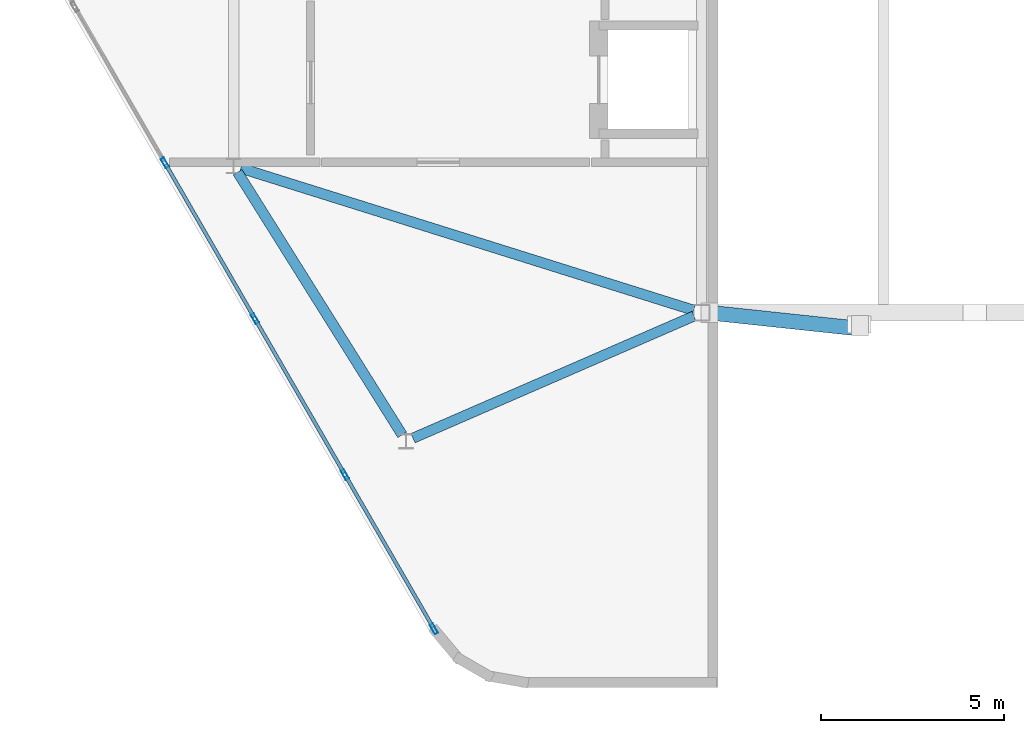
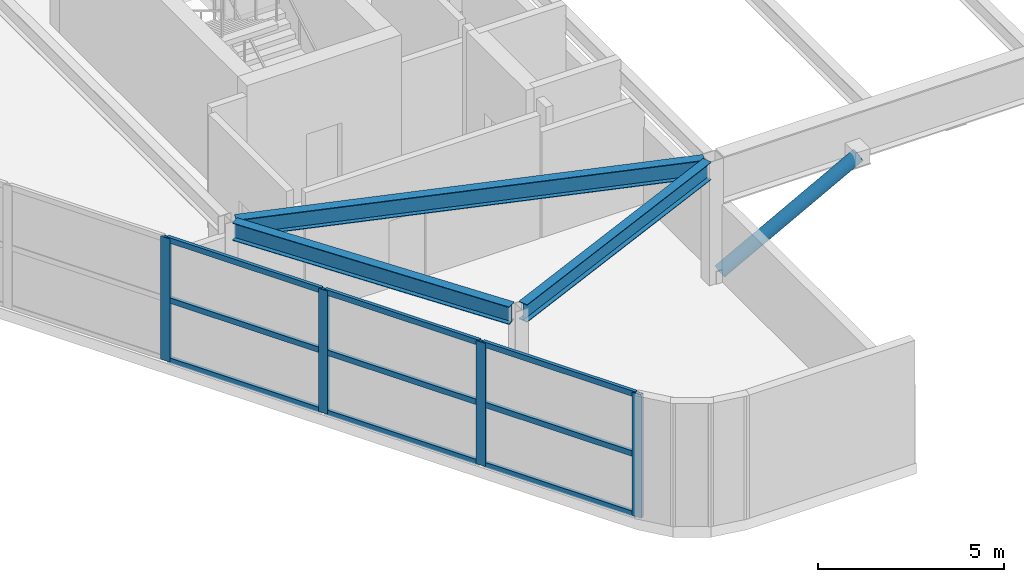
# One storey, part 3 of 16: 14 members, 3 beams, 1 element without a shape of its own.
"""IFC4 building model written with IfcOpenShell, lengths in metres."""

from ifc_helpers import new_model, si_unit, direction, frame, origin, origin_2d, place, context, subcontext, project, spatial, hollow_rectangle, hollow_circle, i_section, extrude, material, material_profile, profile_set, type_object, element, aggregate, save


model = new_model("IFC4")

# Units and contexts
model_context = context("Model", 3, precision=1e-05, world=origin(), true_north=direction((0.0, 1.0)))
body_context = subcontext(model_context, "Body", "Model", "MODEL_VIEW")
ifc_project = project(units=[si_unit("LENGTHUNIT", "METRE"), si_unit("AREAUNIT", "SQUARE_METRE"), si_unit("VOLUMEUNIT", "CUBIC_METRE"), si_unit("PLANEANGLEUNIT", "RADIAN"), si_unit("MASSUNIT", "GRAM", prefix="KILO")], contexts=[model_context])

# Site, building, storey
site_placement = place(None, origin())
site = spatial("IfcSite", under=ifc_project, at=site_placement, CompositionType="ELEMENT")
building_placement = place(site_placement, origin())
building = spatial("IfcBuilding", under=site, at=building_placement, Name="Zuhravey Tower", CompositionType="ELEMENT")
storey_placement = place(building_placement, frame((0.0, 0.0, 374.60009765625)))
storey = spatial("IfcBuildingStorey", under=building, at=storey_placement, Name="L95", CompositionType="ELEMENT", Elevation=374.60009765625)

# Curtain wall, members
ifc_material_1 = material(Name="Thermally broken anodised aluminium", Category="aluminium")
curtain_wall_type = type_object("IfcCurtainWallType", Name="Split-Top Crown Screened Curtain Wall CW6", PredefinedType="NOTDEFINED", material=ifc_material_1)
curtain_wall_placement = place(storey_placement, origin())
curtain_wall = element("IfcCurtainWall", 1, at=curtain_wall_placement, inside=storey, type_object=curtain_wall_type, Name="L95 CW6 CW6-L95-WEST-04", PredefinedType="NOTDEFINED")
ifc_material_2 = material(Name="Anodised aluminium", Category="aluminium")
ifc_material_profile_1 = material_profile(ifc_material_2, hollow_rectangle(XDim=0.10009765625, YDim=0.2900390625, WallThickness=0.006103515625, at=origin_2d()), Name="ALU-RHS-100x290x6")
ifc_profile_set_1 = profile_set([ifc_material_profile_1], Name="Anodised aluminium")
member_type_1 = type_object("IfcMemberType", Name="Heavy Tall-Storey Mullion 100x220", PredefinedType="MULLION", material=ifc_profile_set_1)
member_1_placement = place(storey_placement, frame((21.258544921875, 9.384765625, 0.0), z_axis=(0.0, 0.0, 1.0), x_axis=(-0.866027063754, -0.499997124838, 0.0)))
member_1 = element("IfcMember", 2, at=member_1_placement, type_object=member_type_1, Name="CW6 mullion 1", PredefinedType="MULLION", context=body_context, shape_type="SweptSolid", body=[
    extrude(hollow_rectangle(XDim=0.10009765625, YDim=0.2900390625, WallThickness=0.006103515625, at=origin_2d()), origin(), (0.0, 0.0, 1.0), 4.0498046875),
])
member_2_placement = place(storey_placement, frame((18.83056640625, 13.590087890625, 0.0), z_axis=(0.0, 0.0, 1.0), x_axis=(-0.866027063754, -0.499997124838, 0.0)))
member_2 = element("IfcMember", 3, at=member_2_placement, type_object=member_type_1, Name="CW6 mullion 2", PredefinedType="MULLION", context=body_context, shape_type="SweptSolid", body=[
    extrude(hollow_rectangle(XDim=0.10009765625, YDim=0.2900390625, WallThickness=0.006103515625, at=origin_2d()), origin(), (0.0, 0.0, 1.0), 4.0498046875),
])
member_3_placement = place(storey_placement, frame((16.377685546875, 17.838623046875, 0.0), z_axis=(0.0, 0.0, 1.0), x_axis=(-0.866027063754, -0.499997124838, 0.0)))
member_3 = element("IfcMember", 4, at=member_3_placement, type_object=member_type_1, Name="CW6 mullion 3", PredefinedType="MULLION", context=body_context, shape_type="SweptSolid", body=[
    extrude(hollow_rectangle(XDim=0.10009765625, YDim=0.2900390625, WallThickness=0.006103515625, at=origin_2d()), origin(), (0.0, 0.0, 1.0), 4.0498046875),
])
member_4_placement = place(storey_placement, frame((13.9248046875, 22.087158203125, 0.0), z_axis=(0.0, 0.0, 1.0), x_axis=(-0.866027063754, -0.499997124838, 0.0)))
member_4 = element("IfcMember", 5, at=member_4_placement, type_object=member_type_1, Name="CW6 mullion 4", PredefinedType="MULLION", context=body_context, shape_type="SweptSolid", body=[
    extrude(hollow_rectangle(XDim=0.10009765625, YDim=0.2900390625, WallThickness=0.006103515625, at=origin_2d()), origin(), (0.0, 0.0, 1.0), 4.0498046875),
])

# Beams
ifc_material_3 = material(Name="Steel SM355", Category="steel")
ifc_material_profile_2 = material_profile(ifc_material_3, i_section(OverallWidth=0.280029296875, OverallDepth=0.580078125, WebThickness=0.011962890625, FlangeThickness=0.01904296875, at=origin_2d()), Name="H-580x280x12x19")
ifc_profile_set_2 = profile_set([ifc_material_profile_2], Name="Steel SM355")
beam_type = type_object("IfcBeamType", Name="Perimeter Ring Beam H580x280", PredefinedType="BEAM", material=ifc_profile_set_2)
beam_1_placement = place(storey_placement, frame((15.908447265625, 21.8271484375, 3.760009765625), z_axis=(0.530996685116, -0.847373896457, 0.0), x_axis=(0.847373896457, 0.530996685116, 0.0)))
element("IfcBeam", 6, at=beam_1_placement, inside=storey, type_object=beam_type, Name="L95 PB4 BM-L95-WCR-0-2", PredefinedType="BEAM", context=body_context, shape_type="SweptSolid", body=[
    extrude(i_section(OverallWidth=0.280029296875, OverallDepth=0.580078125, WebThickness=0.011962890625, FlangeThickness=0.01904296875, at=origin_2d()), origin(), (0.0, 0.0, 1.0), 8.44287109375),
])
beam_2_placement = place(storey_placement, frame((20.68701171875, 14.581298828125, 3.760009765625), z_axis=(0.91707145158, 0.398722902147, 0.0), x_axis=(-0.398722902147, 0.91707145158, 0.0)))
element("IfcBeam", 7, at=beam_2_placement, inside=storey, type_object=beam_type, Name="L95 PB4 BM-L95-WCR-2-4", PredefinedType="BEAM", context=body_context, shape_type="SweptSolid", body=[
    extrude(i_section(OverallWidth=0.280029296875, OverallDepth=0.580078125, WebThickness=0.011962890625, FlangeThickness=0.01904296875, at=origin_2d()), origin(), (0.0, 0.0, 1.0), 8.34521484375),
])
beam_3_placement = place(storey_placement, frame((15.99462890625, 21.93896484375, 3.760009765625), z_axis=(0.954147439285, -0.299337040984, 0.0), x_axis=(0.299337040984, 0.954147439285, 0.0)))
element("IfcBeam", 8, at=beam_3_placement, inside=storey, type_object=beam_type, Name="L95 PB4 BM-L95-WCR-0-4", PredefinedType="BEAM", context=body_context, shape_type="SweptSolid", body=[
    extrude(i_section(OverallWidth=0.280029296875, OverallDepth=0.580078125, WebThickness=0.011962890625, FlangeThickness=0.01904296875, at=origin_2d()), origin(), (0.0, 0.0, 1.0), 12.9296875),
])

# Member
ifc_material_profile_3 = material_profile(ifc_material_2, hollow_rectangle(XDim=0.10009765625, YDim=0.179931640625, WallThickness=0.006103515625, at=origin_2d()), Name="ALU-RHS-100x180x6")
ifc_profile_set_3 = profile_set([ifc_material_profile_3], Name="Anodised aluminium")
member_type_2 = type_object("IfcMemberType", Name="Tall-Storey Transom 100x180", PredefinedType="USERDEFINED", material=ifc_profile_set_3)
member_5_placement = place(storey_placement, frame((21.2333984375, 9.42822265625, 0.0498046875), z_axis=(-0.499965384433, 0.866045388169, 0.0), x_axis=(-0.866045388169, -0.499965384433, 0.0)))
member_5 = element("IfcMember", 9, at=member_5_placement, type_object=member_type_2, Name="CW6 transom 1.1", ObjectType="TRANSOM", PredefinedType="USERDEFINED", context=body_context, shape_type="SweptSolid", body=[
    extrude(hollow_rectangle(XDim=0.10009765625, YDim=0.179931640625, WallThickness=0.006103515625, at=origin_2d()), origin(), (0.0, 0.0, 1.0), 4.755615234375),
])

member_6_placement = place(storey_placement, frame((21.2333984375, 9.42822265625, 2.02490234375), z_axis=(-0.499965384433, 0.866045388169, 0.0), x_axis=(-0.866045388169, -0.499965384433, 0.0)))
member_6 = element("IfcMember", 10, at=member_6_placement, type_object=member_type_2, Name="CW6 transom 1.2", ObjectType="TRANSOM", PredefinedType="USERDEFINED", context=body_context, shape_type="SweptSolid", body=[
    extrude(hollow_rectangle(XDim=0.10009765625, YDim=0.179931640625, WallThickness=0.006103515625, at=origin_2d()), origin(), (0.0, 0.0, 1.0), 4.755615234375),
])

member_7_placement = place(storey_placement, frame((21.2333984375, 9.42822265625, 4.0), z_axis=(-0.499965384433, 0.866045388169, 0.0), x_axis=(-0.866045388169, -0.499965384433, 0.0)))
member_7 = element("IfcMember", 11, at=member_7_placement, type_object=member_type_2, Name="CW6 transom 1.3", ObjectType="TRANSOM", PredefinedType="USERDEFINED", context=body_context, shape_type="SweptSolid", body=[
    extrude(hollow_rectangle(XDim=0.10009765625, YDim=0.179931640625, WallThickness=0.006103515625, at=origin_2d()), origin(), (0.0, 0.0, 1.0), 4.755615234375),
])

member_8_placement = place(storey_placement, frame((18.8056640625, 13.63330078125, 0.0498046875), z_axis=(-0.500012672123, 0.866018087407, 0.0), x_axis=(-0.866018087407, -0.500012672123, 0.0)))
member_8 = element("IfcMember", 12, at=member_8_placement, type_object=member_type_2, Name="CW6 transom 2.1", ObjectType="TRANSOM", PredefinedType="USERDEFINED", context=body_context, shape_type="SweptSolid", body=[
    extrude(hollow_rectangle(XDim=0.10009765625, YDim=0.179931640625, WallThickness=0.006103515625, at=origin_2d()), origin(), (0.0, 0.0, 1.0), 4.80615234375),
])

member_9_placement = place(storey_placement, frame((18.8056640625, 13.63330078125, 2.02490234375), z_axis=(-0.500012672123, 0.866018087407, 0.0), x_axis=(-0.866018087407, -0.500012672123, 0.0)))
member_9 = element("IfcMember", 13, at=member_9_placement, type_object=member_type_2, Name="CW6 transom 2.2", ObjectType="TRANSOM", PredefinedType="USERDEFINED", context=body_context, shape_type="SweptSolid", body=[
    extrude(hollow_rectangle(XDim=0.10009765625, YDim=0.179931640625, WallThickness=0.006103515625, at=origin_2d()), origin(), (0.0, 0.0, 1.0), 4.80615234375),
])

member_10_placement = place(storey_placement, frame((18.8056640625, 13.63330078125, 4.0), z_axis=(-0.500012672123, 0.866018087407, 0.0), x_axis=(-0.866018087407, -0.500012672123, 0.0)))
member_10 = element("IfcMember", 14, at=member_10_placement, type_object=member_type_2, Name="CW6 transom 2.3", ObjectType="TRANSOM", PredefinedType="USERDEFINED", context=body_context, shape_type="SweptSolid", body=[
    extrude(hollow_rectangle(XDim=0.10009765625, YDim=0.179931640625, WallThickness=0.006103515625, at=origin_2d()), origin(), (0.0, 0.0, 1.0), 4.80615234375),
])

member_11_placement = place(storey_placement, frame((16.352783203125, 17.882080078125, 0.0498046875), z_axis=(-0.50003466983, 0.866005386223, 0.0), x_axis=(-0.866005386223, -0.50003466983, 0.0)))
member_11 = element("IfcMember", 15, at=member_11_placement, type_object=member_type_2, Name="CW6 transom 3.1", ObjectType="TRANSOM", PredefinedType="USERDEFINED", context=body_context, shape_type="SweptSolid", body=[
    extrude(hollow_rectangle(XDim=0.10009765625, YDim=0.179931640625, WallThickness=0.006103515625, at=origin_2d()), origin(), (0.0, 0.0, 1.0), 4.805908203125),
])

member_12_placement = place(storey_placement, frame((16.352783203125, 17.882080078125, 2.02490234375), z_axis=(-0.50003466983, 0.866005386223, 0.0), x_axis=(-0.866005386223, -0.50003466983, 0.0)))
member_12 = element("IfcMember", 16, at=member_12_placement, type_object=member_type_2, Name="CW6 transom 3.2", ObjectType="TRANSOM", PredefinedType="USERDEFINED", context=body_context, shape_type="SweptSolid", body=[
    extrude(hollow_rectangle(XDim=0.10009765625, YDim=0.179931640625, WallThickness=0.006103515625, at=origin_2d()), origin(), (0.0, 0.0, 1.0), 4.805908203125),
])

member_13_placement = place(storey_placement, frame((16.352783203125, 17.882080078125, 4.0), z_axis=(-0.50003466983, 0.866005386223, 0.0), x_axis=(-0.866005386223, -0.50003466983, 0.0)))
member_13 = element("IfcMember", 17, at=member_13_placement, type_object=member_type_2, Name="CW6 transom 3.3", ObjectType="TRANSOM", PredefinedType="USERDEFINED", context=body_context, shape_type="SweptSolid", body=[
    extrude(hollow_rectangle(XDim=0.10009765625, YDim=0.179931640625, WallThickness=0.006103515625, at=origin_2d()), origin(), (0.0, 0.0, 1.0), 4.805908203125),
])

aggregate(curtain_wall, [member_1, member_2, member_3, member_4, member_5, member_6, member_7, member_8, member_9, member_10, member_11, member_12, member_13])

ifc_material_profile_4 = material_profile(ifc_material_3, hollow_circle(Radius=0.203125, WallThickness=0.02001953125, at=origin_2d()), Name="CHS-406.4x20")
ifc_profile_set_4 = profile_set([ifc_material_profile_4], Name="Steel SM355")
member_type_3 = type_object("IfcMemberType", Name="Wind-Portal Arch Brace CHS406x20", PredefinedType="BRACE", material=ifc_profile_set_4)
member_14_placement = place(storey_placement, frame((28.78076171875, 17.999755859375, 0.180908203125), z_axis=(0.831960983214, -0.088484176355, 0.547733030723), x_axis=(0.105759685753, 0.994391718021, 0.0)))
element("IfcMember", 18, at=member_14_placement, inside=storey, type_object=member_type_3, Name="L95 Wind-Portal Arch Brace WPB1-1W", PredefinedType="BRACE", context=body_context, shape_type="SweptSolid", body=[
    extrude(hollow_circle(Radius=0.203125, WallThickness=0.02001953125, at=origin_2d()), origin(), (0.0, 0.0, 1.0), 4.88916015625),
])

save(model, "model.ifc")
